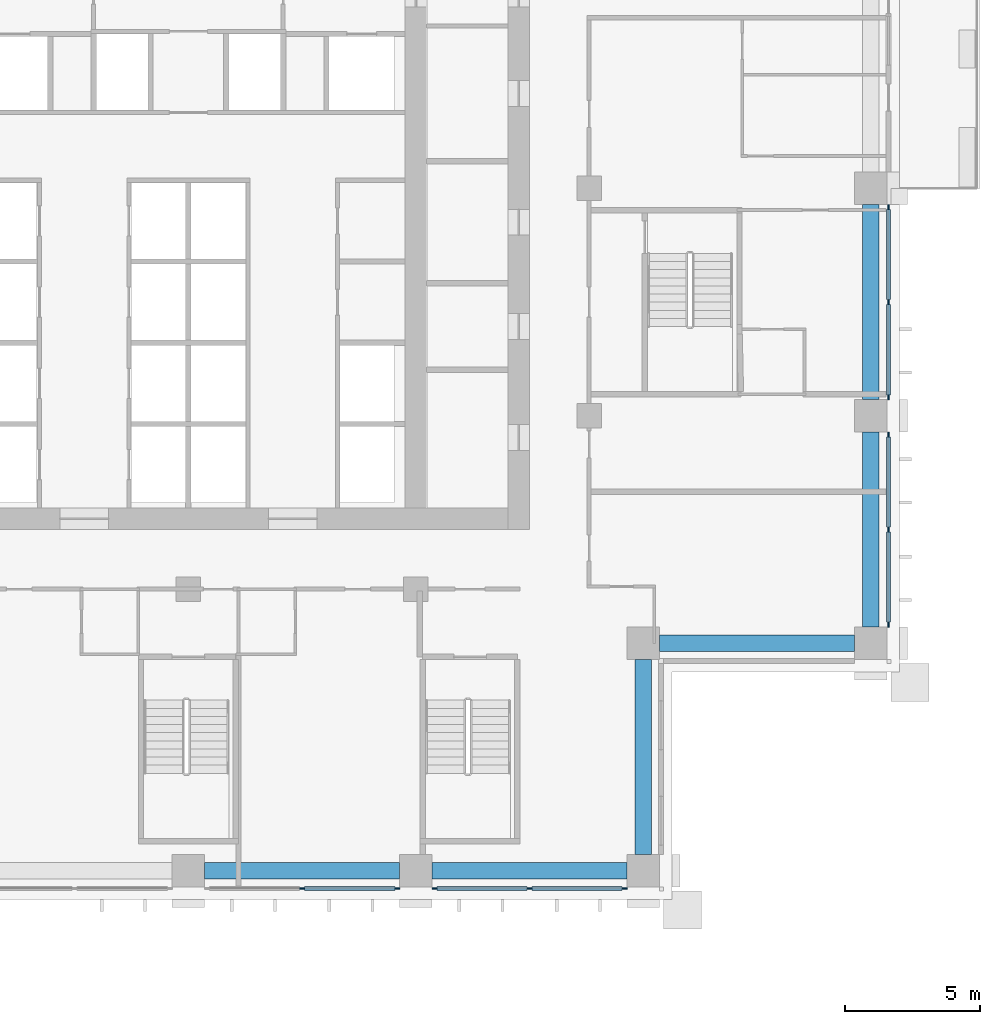
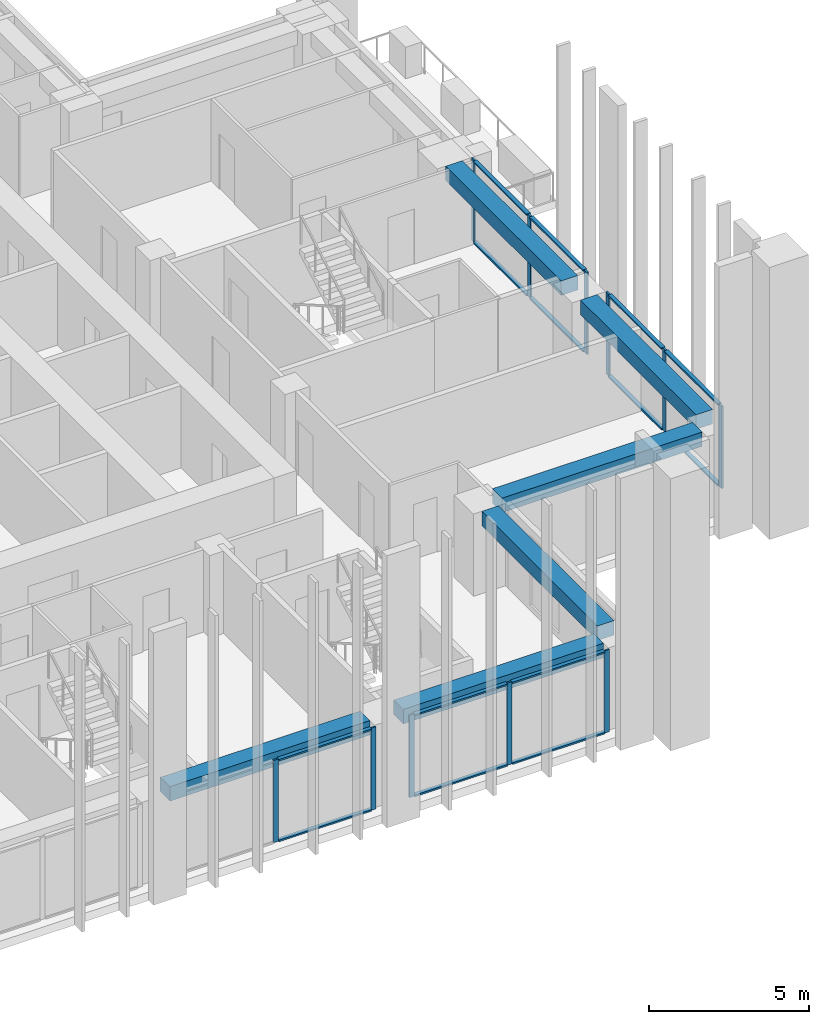
# One storey, part 4 of 18: 25 members, 6 beams, 4 elements without a shape of their own.
"""IFC4 building model written with IfcOpenShell, lengths in metres."""

from ifc_helpers import new_model, si_unit, direction, frame, origin, origin_2d, place, context, subcontext, project, spatial, rectangle, extrude, material, material_profile, profile_set, type_object, element, aggregate, save


model = new_model("IFC4")

# Units and contexts
model_context = context("Model", 3, precision=1e-05, world=origin(), true_north=direction((0.0, 1.0)))
body_context = subcontext(model_context, "Body", "Model", "MODEL_VIEW")
ifc_project = project(units=[si_unit("LENGTHUNIT", "METRE"), si_unit("AREAUNIT", "SQUARE_METRE"), si_unit("VOLUMEUNIT", "CUBIC_METRE"), si_unit("PLANEANGLEUNIT", "RADIAN"), si_unit("MASSUNIT", "GRAM", prefix="KILO")], contexts=[model_context])

# Site, building, storey
site_placement = place(None, origin())
site = spatial("IfcSite", under=ifc_project, at=site_placement, CompositionType="ELEMENT")
building_placement = place(site_placement, origin())
building = spatial("IfcBuilding", under=site, at=building_placement, Name="Vermilion Ogive Tower", CompositionType="ELEMENT")
storey_placement = place(building_placement, frame((0.0, 0.0, 80.39990234375)))
storey = spatial("IfcBuildingStorey", under=building, at=storey_placement, Name="L19", CompositionType="ELEMENT", Elevation=80.39990234375)

# Curtain wall, members
ifc_material_1 = material(Name="Low-iron laminated glazing in aluminium frame", Category="aluminium")
curtain_wall_type = type_object("IfcCurtainWallType", Name="Curtain wall CW7", PredefinedType="NOTDEFINED", material=ifc_material_1)
curtain_wall_1_placement = place(storey_placement, origin())
curtain_wall_1 = element("IfcCurtainWall", 1, at=curtain_wall_1_placement, inside=storey, type_object=curtain_wall_type, Name="Glazed skin S3", PredefinedType="NOTDEFINED")
ifc_material_2 = material(Name="Aluminium mullion", Category="aluminium")
ifc_material_profile_1 = material_profile(ifc_material_2, rectangle(XDim=0.06005859375, YDim=0.179931640625, at=origin_2d()), Name="AL 60x180")
ifc_profile_set_1 = profile_set([ifc_material_profile_1], Name="Aluminium mullion")
member_type_1 = type_object("IfcMemberType", Name="CW7 mullion 60x180", PredefinedType="MULLION", material=ifc_profile_set_1)
member_1_placement = place(storey_placement, frame((4.199951171875, -21.64990234375, 0.0), z_axis=(0.0, 0.0, 1.0), x_axis=(0.0, 1.0, 0.0)))
member_1 = element("IfcMember", 2, at=member_1_placement, type_object=member_type_1, Name="CW7-S3 mullion 2", PredefinedType="MULLION", context=body_context, shape_type="SweptSolid", body=[
    extrude(rectangle(XDim=0.06005859375, YDim=0.179931640625, at=origin_2d()), origin(), (0.0, 0.0, 1.0), 3.130126953125),
])
member_2_placement = place(storey_placement, frame((7.7099609375, -21.64990234375, 0.0), z_axis=(0.0, 0.0, 1.0), x_axis=(0.0, 1.0, 0.0)))
member_2 = element("IfcMember", 3, at=member_2_placement, type_object=member_type_1, Name="CW7-S3 mullion 3", PredefinedType="MULLION", context=body_context, shape_type="SweptSolid", body=[
    extrude(rectangle(XDim=0.06005859375, YDim=0.179931640625, at=origin_2d()), origin(), (0.0, 0.0, 1.0), 3.130126953125),
])

curtain_wall_2_placement = place(storey_placement, origin())
curtain_wall_2 = element("IfcCurtainWall", 4, at=curtain_wall_2_placement, inside=storey, type_object=curtain_wall_type, Name="Glazed skin S4", PredefinedType="NOTDEFINED")
member_3_placement = place(storey_placement, frame((9.090087890625, -21.64990234375, 0.0), z_axis=(0.0, 0.0, 1.0), x_axis=(0.0, 1.0, 0.0)))
member_3 = element("IfcMember", 5, at=member_3_placement, type_object=member_type_1, Name="CW7-S4 mullion 1", PredefinedType="MULLION", context=body_context, shape_type="SweptSolid", body=[
    extrude(rectangle(XDim=0.06005859375, YDim=0.179931640625, at=origin_2d()), origin(), (0.0, 0.0, 1.0), 3.130126953125),
])
member_4_placement = place(storey_placement, frame((12.60009765625, -21.64990234375, 0.0), z_axis=(0.0, 0.0, 1.0), x_axis=(0.0, 1.0, 0.0)))
member_4 = element("IfcMember", 6, at=member_4_placement, type_object=member_type_1, Name="CW7-S4 mullion 2", PredefinedType="MULLION", context=body_context, shape_type="SweptSolid", body=[
    extrude(rectangle(XDim=0.06005859375, YDim=0.179931640625, at=origin_2d()), origin(), (0.0, 0.0, 1.0), 3.130126953125),
])
member_5_placement = place(storey_placement, frame((16.110107421875, -21.64990234375, 0.0), z_axis=(0.0, 0.0, 1.0), x_axis=(0.0, 1.0, 0.0)))
member_5 = element("IfcMember", 7, at=member_5_placement, type_object=member_type_1, Name="CW7-S4 mullion 3", PredefinedType="MULLION", context=body_context, shape_type="SweptSolid", body=[
    extrude(rectangle(XDim=0.06005859375, YDim=0.179931640625, at=origin_2d()), origin(), (0.0, 0.0, 1.0), 3.130126953125),
])

curtain_wall_3_placement = place(storey_placement, origin())
curtain_wall_3 = element("IfcCurtainWall", 8, at=curtain_wall_3_placement, inside=storey, type_object=curtain_wall_type, Name="Glazed skin E1", PredefinedType="NOTDEFINED")
member_6_placement = place(storey_placement, frame((25.85009765625, -11.909912109375, 0.0), z_axis=(0.0, 0.0, 1.0), x_axis=(-1.0, 0.0, 0.0)))
member_6 = element("IfcMember", 9, at=member_6_placement, type_object=member_type_1, Name="CW7-E1 mullion 1", PredefinedType="MULLION", context=body_context, shape_type="SweptSolid", body=[
    extrude(rectangle(XDim=0.06005859375, YDim=0.179931640625, at=origin_2d()), origin(), (0.0, 0.0, 1.0), 3.130126953125),
])
member_7_placement = place(storey_placement, frame((25.85009765625, -8.39990234375, 0.0), z_axis=(0.0, 0.0, 1.0), x_axis=(-1.0, 0.0, 0.0)))
member_7 = element("IfcMember", 10, at=member_7_placement, type_object=member_type_1, Name="CW7-E1 mullion 2", PredefinedType="MULLION", context=body_context, shape_type="SweptSolid", body=[
    extrude(rectangle(XDim=0.06005859375, YDim=0.179931640625, at=origin_2d()), origin(), (0.0, 0.0, 1.0), 3.130126953125),
])
member_8_placement = place(storey_placement, frame((25.85009765625, -4.889892578125, 0.0), z_axis=(0.0, 0.0, 1.0), x_axis=(-1.0, 0.0, 0.0)))
member_8 = element("IfcMember", 11, at=member_8_placement, type_object=member_type_1, Name="CW7-E1 mullion 3", PredefinedType="MULLION", context=body_context, shape_type="SweptSolid", body=[
    extrude(rectangle(XDim=0.06005859375, YDim=0.179931640625, at=origin_2d()), origin(), (0.0, 0.0, 1.0), 3.130126953125),
])

curtain_wall_4_placement = place(storey_placement, origin())
curtain_wall_4 = element("IfcCurtainWall", 12, at=curtain_wall_4_placement, inside=storey, type_object=curtain_wall_type, Name="Glazed skin E2", PredefinedType="NOTDEFINED")
member_9_placement = place(storey_placement, frame((25.85009765625, -3.510009765625, 0.0), z_axis=(0.0, 0.0, 1.0), x_axis=(-1.0, 0.0, 0.0)))
member_9 = element("IfcMember", 13, at=member_9_placement, type_object=member_type_1, Name="CW7-E2 mullion 1", PredefinedType="MULLION", context=body_context, shape_type="SweptSolid", body=[
    extrude(rectangle(XDim=0.06005859375, YDim=0.179931640625, at=origin_2d()), origin(), (0.0, 0.0, 1.0), 3.130126953125),
])
member_10_placement = place(storey_placement, frame((25.85009765625, 0.0, 0.0), z_axis=(0.0, 0.0, 1.0), x_axis=(-1.0, 0.0, 0.0)))
member_10 = element("IfcMember", 14, at=member_10_placement, type_object=member_type_1, Name="CW7-E2 mullion 2", PredefinedType="MULLION", context=body_context, shape_type="SweptSolid", body=[
    extrude(rectangle(XDim=0.06005859375, YDim=0.179931640625, at=origin_2d()), origin(), (0.0, 0.0, 1.0), 3.130126953125),
])
member_11_placement = place(storey_placement, frame((25.85009765625, 3.510009765625, 0.0), z_axis=(0.0, 0.0, 1.0), x_axis=(-1.0, 0.0, 0.0)))
member_11 = element("IfcMember", 15, at=member_11_placement, type_object=member_type_1, Name="CW7-E2 mullion 3", PredefinedType="MULLION", context=body_context, shape_type="SweptSolid", body=[
    extrude(rectangle(XDim=0.06005859375, YDim=0.179931640625, at=origin_2d()), origin(), (0.0, 0.0, 1.0), 3.130126953125),
])

# Member
ifc_material_3 = material(Name="Aluminium transom", Category="aluminium")
ifc_material_profile_2 = material_profile(ifc_material_3, rectangle(XDim=0.139892578125, YDim=0.06005859375, at=origin_2d()), Name="AL 60x140")
ifc_profile_set_2 = profile_set([ifc_material_profile_2], Name="Aluminium transom")
member_type_2 = type_object("IfcMemberType", Name="CW7 transom 60x140", PredefinedType="USERDEFINED", material=ifc_profile_set_2)
member_12_placement = place(storey_placement, frame((4.2900390625, -21.64990234375, 0.030029296875), z_axis=(1.0, 0.0, 0.0), x_axis=(0.0, 1.0, 0.0)))
member_12 = element("IfcMember", 16, at=member_12_placement, type_object=member_type_2, Name="CW7-S3 transom 2.1", ObjectType="TRANSOM", PredefinedType="USERDEFINED", context=body_context, shape_type="SweptSolid", body=[
    extrude(rectangle(XDim=0.139892578125, YDim=0.06005859375, at=origin_2d()), origin(), (0.0, 0.0, 1.0), 3.330078125),
])

member_13_placement = place(storey_placement, frame((4.2900390625, -21.64990234375, 3.10009765625), z_axis=(1.0, 0.0, 0.0), x_axis=(0.0, 1.0, 0.0)))
member_13 = element("IfcMember", 17, at=member_13_placement, type_object=member_type_2, Name="CW7-S3 transom 2.2", ObjectType="TRANSOM", PredefinedType="USERDEFINED", context=body_context, shape_type="SweptSolid", body=[
    extrude(rectangle(XDim=0.139892578125, YDim=0.06005859375, at=origin_2d()), origin(), (0.0, 0.0, 1.0), 3.330078125),
])

aggregate(curtain_wall_1, [member_1, member_2, member_12, member_13])

member_14_placement = place(storey_placement, frame((9.179931640625, -21.64990234375, 0.030029296875), z_axis=(1.0, 0.0, 0.0), x_axis=(0.0, 1.0, 0.0)))
member_14 = element("IfcMember", 18, at=member_14_placement, type_object=member_type_2, Name="CW7-S4 transom 1.1", ObjectType="TRANSOM", PredefinedType="USERDEFINED", context=body_context, shape_type="SweptSolid", body=[
    extrude(rectangle(XDim=0.139892578125, YDim=0.06005859375, at=origin_2d()), origin(), (0.0, 0.0, 1.0), 3.330078125),
])

member_15_placement = place(storey_placement, frame((9.179931640625, -21.64990234375, 3.10009765625), z_axis=(1.0, 0.0, 0.0), x_axis=(0.0, 1.0, 0.0)))
member_15 = element("IfcMember", 19, at=member_15_placement, type_object=member_type_2, Name="CW7-S4 transom 1.2", ObjectType="TRANSOM", PredefinedType="USERDEFINED", context=body_context, shape_type="SweptSolid", body=[
    extrude(rectangle(XDim=0.139892578125, YDim=0.06005859375, at=origin_2d()), origin(), (0.0, 0.0, 1.0), 3.330078125),
])

member_16_placement = place(storey_placement, frame((12.68994140625, -21.64990234375, 0.030029296875), z_axis=(1.0, 0.0, 0.0), x_axis=(0.0, 1.0, 0.0)))
member_16 = element("IfcMember", 20, at=member_16_placement, type_object=member_type_2, Name="CW7-S4 transom 2.1", ObjectType="TRANSOM", PredefinedType="USERDEFINED", context=body_context, shape_type="SweptSolid", body=[
    extrude(rectangle(XDim=0.139892578125, YDim=0.06005859375, at=origin_2d()), origin(), (0.0, 0.0, 1.0), 3.330078125),
])

member_17_placement = place(storey_placement, frame((12.68994140625, -21.64990234375, 3.10009765625), z_axis=(1.0, 0.0, 0.0), x_axis=(0.0, 1.0, 0.0)))
member_17 = element("IfcMember", 21, at=member_17_placement, type_object=member_type_2, Name="CW7-S4 transom 2.2", ObjectType="TRANSOM", PredefinedType="USERDEFINED", context=body_context, shape_type="SweptSolid", body=[
    extrude(rectangle(XDim=0.139892578125, YDim=0.06005859375, at=origin_2d()), origin(), (0.0, 0.0, 1.0), 3.330078125),
])

aggregate(curtain_wall_2, [member_3, member_4, member_5, member_14, member_15, member_16, member_17])

member_18_placement = place(storey_placement, frame((25.85009765625, -11.820068359375, 0.030029296875), z_axis=(0.0, 1.0, 0.0), x_axis=(-1.0, 0.0, 0.0)))
member_18 = element("IfcMember", 22, at=member_18_placement, type_object=member_type_2, Name="CW7-E1 transom 1.1", ObjectType="TRANSOM", PredefinedType="USERDEFINED", context=body_context, shape_type="SweptSolid", body=[
    extrude(rectangle(XDim=0.139892578125, YDim=0.06005859375, at=origin_2d()), origin(), (0.0, 0.0, 1.0), 3.330078125),
])

member_19_placement = place(storey_placement, frame((25.85009765625, -11.820068359375, 3.10009765625), z_axis=(0.0, 1.0, 0.0), x_axis=(-1.0, 0.0, 0.0)))
member_19 = element("IfcMember", 23, at=member_19_placement, type_object=member_type_2, Name="CW7-E1 transom 1.2", ObjectType="TRANSOM", PredefinedType="USERDEFINED", context=body_context, shape_type="SweptSolid", body=[
    extrude(rectangle(XDim=0.139892578125, YDim=0.06005859375, at=origin_2d()), origin(), (0.0, 0.0, 1.0), 3.330078125),
])

member_20_placement = place(storey_placement, frame((25.85009765625, -8.31005859375, 0.030029296875), z_axis=(0.0, 1.0, 0.0), x_axis=(-1.0, 0.0, 0.0)))
member_20 = element("IfcMember", 24, at=member_20_placement, type_object=member_type_2, Name="CW7-E1 transom 2.1", ObjectType="TRANSOM", PredefinedType="USERDEFINED", context=body_context, shape_type="SweptSolid", body=[
    extrude(rectangle(XDim=0.139892578125, YDim=0.06005859375, at=origin_2d()), origin(), (0.0, 0.0, 1.0), 3.330078125),
])

member_21_placement = place(storey_placement, frame((25.85009765625, -8.31005859375, 3.10009765625), z_axis=(0.0, 1.0, 0.0), x_axis=(-1.0, 0.0, 0.0)))
member_21 = element("IfcMember", 25, at=member_21_placement, type_object=member_type_2, Name="CW7-E1 transom 2.2", ObjectType="TRANSOM", PredefinedType="USERDEFINED", context=body_context, shape_type="SweptSolid", body=[
    extrude(rectangle(XDim=0.139892578125, YDim=0.06005859375, at=origin_2d()), origin(), (0.0, 0.0, 1.0), 3.330078125),
])

aggregate(curtain_wall_3, [member_6, member_7, member_8, member_18, member_19, member_20, member_21])

member_22_placement = place(storey_placement, frame((25.85009765625, -3.419921875, 0.030029296875), z_axis=(0.0, 1.0, 0.0), x_axis=(-1.0, 0.0, 0.0)))
member_22 = element("IfcMember", 26, at=member_22_placement, type_object=member_type_2, Name="CW7-E2 transom 1.1", ObjectType="TRANSOM", PredefinedType="USERDEFINED", context=body_context, shape_type="SweptSolid", body=[
    extrude(rectangle(XDim=0.139892578125, YDim=0.06005859375, at=origin_2d()), origin(), (0.0, 0.0, 1.0), 3.329833984375),
])

member_23_placement = place(storey_placement, frame((25.85009765625, -3.419921875, 3.10009765625), z_axis=(0.0, 1.0, 0.0), x_axis=(-1.0, 0.0, 0.0)))
member_23 = element("IfcMember", 27, at=member_23_placement, type_object=member_type_2, Name="CW7-E2 transom 1.2", ObjectType="TRANSOM", PredefinedType="USERDEFINED", context=body_context, shape_type="SweptSolid", body=[
    extrude(rectangle(XDim=0.139892578125, YDim=0.06005859375, at=origin_2d()), origin(), (0.0, 0.0, 1.0), 3.329833984375),
])

member_24_placement = place(storey_placement, frame((25.85009765625, 0.090087890625, 0.030029296875), z_axis=(0.0, 1.0, 0.0), x_axis=(-1.0, 0.0, 0.0)))
member_24 = element("IfcMember", 28, at=member_24_placement, type_object=member_type_2, Name="CW7-E2 transom 2.1", ObjectType="TRANSOM", PredefinedType="USERDEFINED", context=body_context, shape_type="SweptSolid", body=[
    extrude(rectangle(XDim=0.139892578125, YDim=0.06005859375, at=origin_2d()), origin(), (0.0, 0.0, 1.0), 3.329833984375),
])

member_25_placement = place(storey_placement, frame((25.85009765625, 0.090087890625, 3.10009765625), z_axis=(0.0, 1.0, 0.0), x_axis=(-1.0, 0.0, 0.0)))
member_25 = element("IfcMember", 29, at=member_25_placement, type_object=member_type_2, Name="CW7-E2 transom 2.2", ObjectType="TRANSOM", PredefinedType="USERDEFINED", context=body_context, shape_type="SweptSolid", body=[
    extrude(rectangle(XDim=0.139892578125, YDim=0.06005859375, at=origin_2d()), origin(), (0.0, 0.0, 1.0), 3.329833984375),
])

aggregate(curtain_wall_4, [member_9, member_10, member_11, member_22, member_23, member_24, member_25])

# Beams
ifc_material_4 = material(Name="Concrete B45", Category="concrete")
ifc_material_profile_3 = material_profile(ifc_material_4, rectangle(XDim=0.60009765625, YDim=0.550048828125, at=origin_2d()), Name="600 x 550")
ifc_profile_set_3 = profile_set([ifc_material_profile_3], Name="Concrete B45")
beam_type = type_object("IfcBeamType", Name="Edge beam 600 x 550 B45", PredefinedType="BEAM", material=ifc_profile_set_3)
for number, where, z_axis, x_axis, name in (
    (30, (0.60009765625, -21.0, 2.85498046875), (1.0, 0.0, 0.0), (0.0, 1.0, 0.0), "L19-EB-3"),
    (31, (9.0, -21.0, 2.85498046875), (1.0, 0.0, 0.0), (0.0, 1.0, 0.0), "L19-EB-4"),
    (32, (16.800048828125, -20.39990234375, 2.85498046875), (0.0, 1.0, 0.0), (-1.0, 0.0, 0.0), "L19-EB-5"),
):
    element("IfcBeam", number, at=place(storey_placement, frame(where, z_axis=z_axis, x_axis=x_axis)), inside=storey, type_object=beam_type, Name=name, PredefinedType="BEAM", context=body_context, shape_type="SweptSolid", body=[
        extrude(rectangle(XDim=0.60009765625, YDim=0.550048828125, at=origin_2d()), origin(), (0.0, 0.0, 1.0), 7.199951171875),
    ])
beam_1_placement = place(storey_placement, frame((17.39990234375, -12.60009765625, 2.85498046875), z_axis=(1.0, 0.0, 0.0), x_axis=(0.0, 1.0, 0.0)))
element("IfcBeam", 33, at=beam_1_placement, inside=storey, type_object=beam_type, Name="L19-EB-6", PredefinedType="BEAM", context=body_context, shape_type="SweptSolid", body=[
    extrude(rectangle(XDim=0.60009765625, YDim=0.550048828125, at=origin_2d()), origin(), (0.0, 0.0, 1.0), 7.2001953125),
])
beam_2_placement = place(storey_placement, frame((25.199951171875, -12.0, 2.85498046875), z_axis=(0.0, 1.0, 0.0), x_axis=(-1.0, 0.0, 0.0)))
element("IfcBeam", 34, at=beam_2_placement, inside=storey, type_object=beam_type, Name="L19-EB-7", PredefinedType="BEAM", context=body_context, shape_type="SweptSolid", body=[
    extrude(rectangle(XDim=0.60009765625, YDim=0.550048828125, at=origin_2d()), origin(), (0.0, 0.0, 1.0), 7.199951171875),
])
beam_3_placement = place(storey_placement, frame((25.199951171875, -3.60009765625, 2.85498046875), z_axis=(0.0, 1.0, 0.0), x_axis=(-1.0, 0.0, 0.0)))
element("IfcBeam", 35, at=beam_3_placement, inside=storey, type_object=beam_type, Name="L19-EB-8", PredefinedType="BEAM", context=body_context, shape_type="SweptSolid", body=[
    extrude(rectangle(XDim=0.60009765625, YDim=0.550048828125, at=origin_2d()), origin(), (0.0, 0.0, 1.0), 7.2001953125),
])

save(model, "model.ifc")
